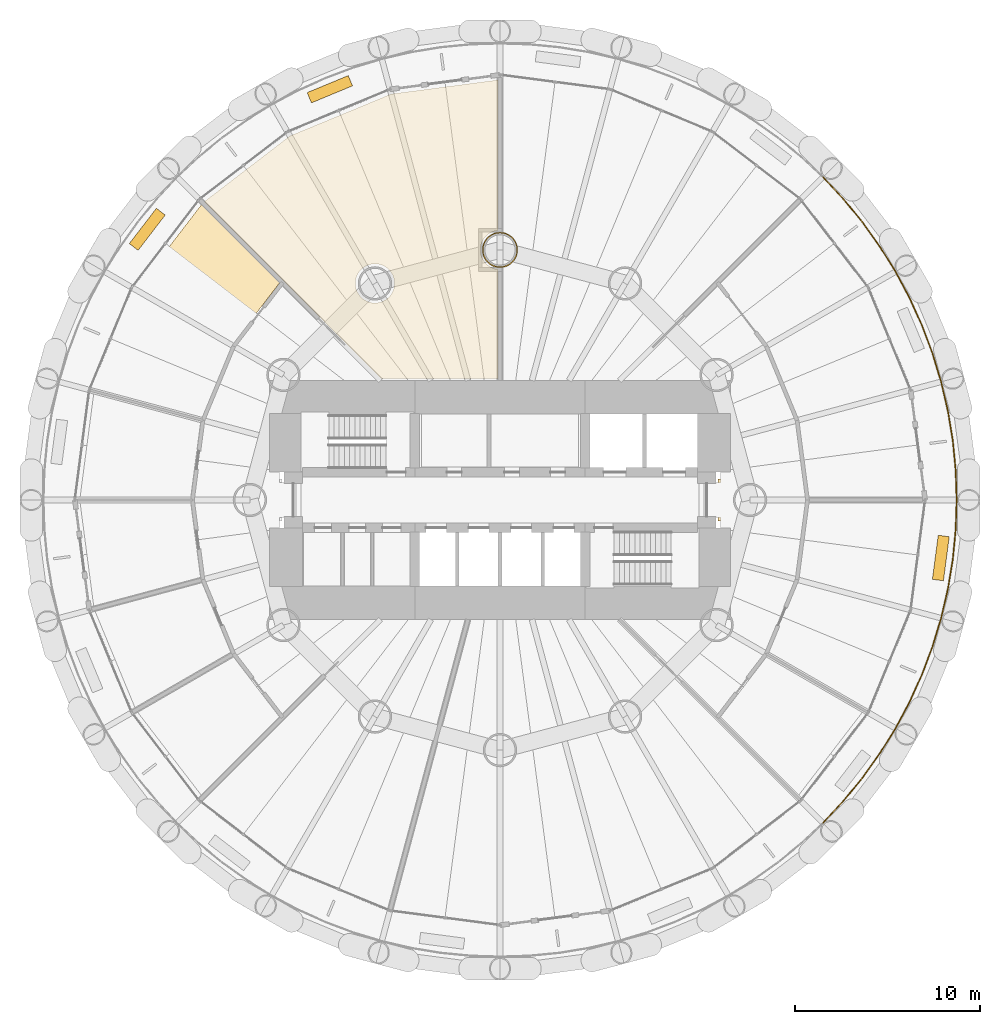
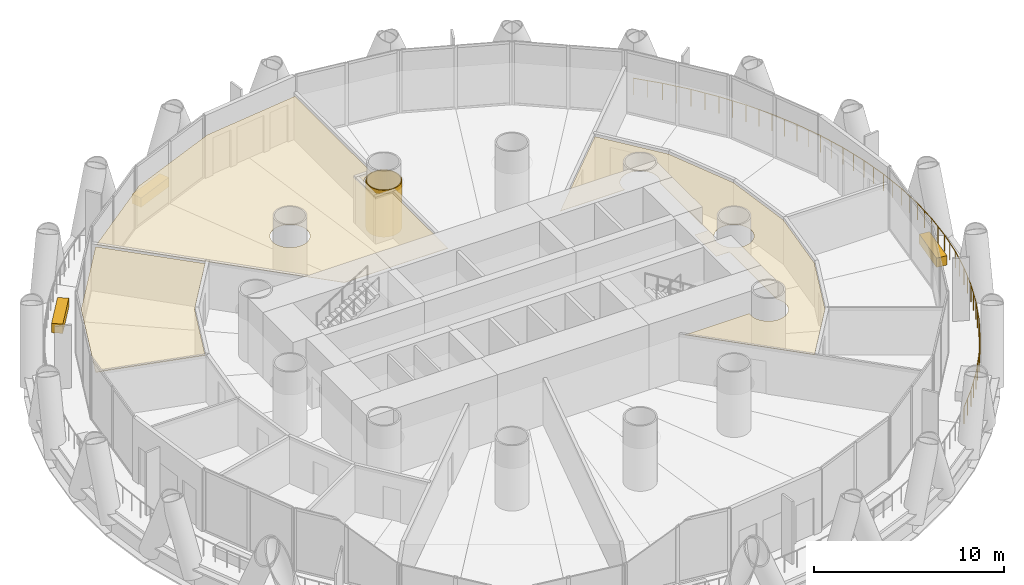
# One storey, part 15 of 16: 7 coverings, 1 railing.
"""IFC4 building model written with IfcOpenShell, lengths in metres."""

from ifc_helpers import new_model, si_unit, direction, frame, origin, origin_2d, place, context, subcontext, project, spatial, polyline, rectangle, circle, outline, extrude, material, layer, layer_set, type_object, element, save


model = new_model("IFC4")

# Units and contexts
model_context = context("Model", 3, precision=1e-05, world=origin(), true_north=direction((0.0, 1.0)))
body_context = subcontext(model_context, "Body", "Model", "MODEL_VIEW")
ifc_project = project(units=[si_unit("LENGTHUNIT", "METRE"), si_unit("AREAUNIT", "SQUARE_METRE"), si_unit("VOLUMEUNIT", "CUBIC_METRE"), si_unit("PLANEANGLEUNIT", "RADIAN"), si_unit("MASSUNIT", "GRAM", prefix="KILO")], contexts=[model_context])

# Site, building, storey
site_placement = place(None, origin())
site = spatial("IfcSite", under=ifc_project, at=site_placement, CompositionType="ELEMENT")
building_placement = place(site_placement, origin())
building = spatial("IfcBuilding", under=site, at=building_placement, Name="Qaws Media Tower", CompositionType="ELEMENT")
storey_placement = place(building_placement, frame((0.0, 0.0, 105.800048828125)))
storey = spatial("IfcBuildingStorey", under=building, at=storey_placement, Name="L23", CompositionType="ELEMENT", Elevation=105.800048828125)

# Railing
ifc_material_1 = material(Name="Stainless steel and glass guard", Category="steel")
railing_type = type_object("IfcRailingType", Name="Balcony guard 1100", PredefinedType="GUARDRAIL", material=ifc_material_1)
railing_placement = place(storey_placement, frame((77.43017578125, 32.56982421875, 0.0)))
element("IfcRailing", 1, at=railing_placement, inside=storey, type_object=railing_type, Name="GR1 balcony guard L23-4", PredefinedType="GUARDRAIL", context=body_context, shape_type="SweptSolid", body=[
    extrude(circle(Radius=0.02392578125, at=origin_2d()), frame((0.0, 0.0, 1.076171875), z_axis=(0.683649071953, 0.729810897711, 0.0), x_axis=(-0.729810897711, 0.683649071953, 0.0)), (0.0, 0.0, 1.0), 1.613037109375),
    extrude(circle(Radius=0.02392578125, at=origin_2d()), frame((1.102783203125, 1.17724609375, 1.076171875), z_axis=(0.634300376543, 0.773086691334, 0.0), x_axis=(-0.773086691334, 0.634300376543, 0.0)), (0.0, 0.0, 1.0), 1.613037109375),
    extrude(circle(Radius=0.02392578125, at=origin_2d()), frame((2.1259765625, 2.42431640625, 1.076171875), z_axis=(0.582468937632, 0.8128529613, 0.0), x_axis=(-0.8128529613, 0.582468937632, 0.0)), (0.0, 0.0, 1.0), 1.61279296875),
    extrude(circle(Radius=0.02392578125, at=origin_2d()), frame((3.0654296875, 3.7353515625, 1.076171875), z_axis=(0.52805213215, 0.849211955716, 0.0), x_axis=(-0.849211955716, 0.52805213215, 0.0)), (0.0, 0.0, 1.0), 1.613037109375),
    extrude(circle(Radius=0.02392578125, at=origin_2d()), frame((3.917236328125, 5.105224609375, 1.076171875), z_axis=(0.471444247201, 0.881895867878, 0.0), x_axis=(-0.881895867878, 0.471444247201, 0.0)), (0.0, 0.0, 1.0), 1.613037109375),
    extrude(circle(Radius=0.02392578125, at=origin_2d()), frame((4.677734375, 6.52783203125, 1.076171875), z_axis=(0.412742149387, 0.910847911629, 0.0), x_axis=(-0.910847911629, 0.412742149387, 0.0)), (0.0, 0.0, 1.0), 1.613037109375),
    extrude(circle(Radius=0.02392578125, at=origin_2d()), frame((5.343505859375, 7.9970703125, 1.076171875), z_axis=(0.352234612614, 0.93591173605, 0.0), x_axis=(-0.93591173605, 0.352234612614, 0.0)), (0.0, 0.0, 1.0), 1.61279296875),
    extrude(circle(Radius=0.02392578125, at=origin_2d()), frame((5.91162109375, 9.506591796875, 1.076171875), z_axis=(0.290276212091, 0.956942903571, 0.0), x_axis=(-0.956942903571, 0.290276212091, 0.0)), (0.0, 0.0, 1.0), 1.613037109375),
    extrude(circle(Radius=0.02392578125, at=origin_2d()), frame((6.3798828125, 11.05029296875, 1.076171875), z_axis=(0.22704778202, 0.973883619679, 0.0), x_axis=(-0.973883619679, 0.22704778202, 0.0)), (0.0, 0.0, 1.0), 1.613037109375),
    extrude(circle(Radius=0.02392578125, at=origin_2d()), frame((6.74609375, 12.62109375, 1.076171875), z_axis=(0.162999891935, 0.986626086838, 0.0), x_axis=(-0.986626086838, 0.162999891935, 0.0)), (0.0, 0.0, 1.0), 1.613037109375),
    extrude(circle(Radius=0.02392578125, at=origin_2d()), frame((7.009033203125, 14.212646484375, 1.076171875), z_axis=(0.09793004799, 0.995193300671, 0.0), x_axis=(-0.995193300671, 0.09793004799, 0.0)), (0.0, 0.0, 1.0), 1.613037109375),
    extrude(circle(Radius=0.02392578125, at=origin_2d()), frame((7.1669921875, 15.81787109375, 1.076171875), z_axis=(0.032689969211, 0.999465540133, 0.0), x_axis=(-0.999465540133, 0.032689969211, 0.0)), (0.0, 0.0, 1.0), 1.61328125),
    extrude(circle(Radius=0.02392578125, at=origin_2d()), frame((7.2197265625, 17.43017578125, 1.076171875), z_axis=(-0.032689969211, 0.999465540133, 0.0), x_axis=(-0.999465540133, -0.032689969211, 0.0)), (0.0, 0.0, 1.0), 1.61328125),
    extrude(circle(Radius=0.02392578125, at=origin_2d()), frame((7.1669921875, 19.04248046875, 1.076171875), z_axis=(-0.09793004799, 0.995193300671, 0.0), x_axis=(-0.995193300671, -0.09793004799, 0.0)), (0.0, 0.0, 1.0), 1.613037109375),
    extrude(circle(Radius=0.02392578125, at=origin_2d()), frame((7.009033203125, 20.647705078125, 1.076171875), z_axis=(-0.162999891935, 0.986626086838, 0.0), x_axis=(-0.986626086838, -0.162999891935, 0.0)), (0.0, 0.0, 1.0), 1.613037109375),
    extrude(circle(Radius=0.02392578125, at=origin_2d()), frame((6.74609375, 22.2392578125, 1.076171875), z_axis=(-0.22704778202, 0.973883619679, 0.0), x_axis=(-0.973883619679, -0.22704778202, 0.0)), (0.0, 0.0, 1.0), 1.613037109375),
    extrude(circle(Radius=0.02392578125, at=origin_2d()), frame((6.3798828125, 23.81005859375, 1.076171875), z_axis=(-0.290276212091, 0.956942903571, 0.0), x_axis=(-0.956942903571, -0.290276212091, 0.0)), (0.0, 0.0, 1.0), 1.613037109375),
    extrude(circle(Radius=0.02392578125, at=origin_2d()), frame((5.91162109375, 25.353759765625, 1.076171875), z_axis=(-0.352234612614, 0.93591173605, 0.0), x_axis=(-0.93591173605, -0.352234612614, 0.0)), (0.0, 0.0, 1.0), 1.61279296875),
    extrude(circle(Radius=0.02392578125, at=origin_2d()), frame((5.343505859375, 26.86328125, 1.076171875), z_axis=(-0.412742149387, 0.910847911629, 0.0), x_axis=(-0.910847911629, -0.412742149387, 0.0)), (0.0, 0.0, 1.0), 1.613037109375),
    extrude(circle(Radius=0.02392578125, at=origin_2d()), frame((4.677734375, 28.33251953125, 1.076171875), z_axis=(-0.471444247201, 0.881895867878, 0.0), x_axis=(-0.881895867878, -0.471444247201, 0.0)), (0.0, 0.0, 1.0), 1.613037109375),
    extrude(circle(Radius=0.02392578125, at=origin_2d()), frame((3.917236328125, 29.755126953125, 1.076171875), z_axis=(-0.52805213215, 0.849211955716, 0.0), x_axis=(-0.849211955716, -0.52805213215, 0.0)), (0.0, 0.0, 1.0), 1.613037109375),
    extrude(circle(Radius=0.02392578125, at=origin_2d()), frame((3.0654296875, 31.125, 1.076171875), z_axis=(-0.582468937632, 0.8128529613, 0.0), x_axis=(-0.8128529613, -0.582468937632, 0.0)), (0.0, 0.0, 1.0), 1.61279296875),
    extrude(circle(Radius=0.02392578125, at=origin_2d()), frame((2.1259765625, 32.43603515625, 1.076171875), z_axis=(-0.634300376543, 0.773086691334, 0.0), x_axis=(-0.773086691334, -0.634300376543, 0.0)), (0.0, 0.0, 1.0), 1.613037109375),
    extrude(circle(Radius=0.02392578125, at=origin_2d()), frame((1.102783203125, 33.68310546875, 1.076171875), z_axis=(-0.683649071953, 0.729810897711, 0.0), x_axis=(-0.729810897711, -0.683649071953, 0.0)), (0.0, 0.0, 1.0), 1.613037109375),
    extrude(circle(Radius=0.02099609375, at=origin_2d()), origin(), (0.0, 0.0, 1.0), 1.052001953125),
    extrude(circle(Radius=0.02099609375, at=origin_2d()), frame((0.55126953125, 0.588623046875, 0.0)), (0.0, 0.0, 1.0), 1.052001953125),
    extrude(circle(Radius=0.02099609375, at=origin_2d()), frame((1.102783203125, 1.17724609375, 0.0)), (0.0, 0.0, 1.0), 1.052001953125),
    extrude(circle(Radius=0.02099609375, at=origin_2d()), frame((1.6142578125, 1.80078125, 0.0)), (0.0, 0.0, 1.0), 1.052001953125),
    extrude(circle(Radius=0.02099609375, at=origin_2d()), frame((2.1259765625, 2.42431640625, 0.0)), (0.0, 0.0, 1.0), 1.052001953125),
    extrude(circle(Radius=0.02099609375, at=origin_2d()), frame((2.595703125, 3.079833984375, 0.0)), (0.0, 0.0, 1.0), 1.052001953125),
    extrude(circle(Radius=0.02099609375, at=origin_2d()), frame((3.0654296875, 3.7353515625, 0.0)), (0.0, 0.0, 1.0), 1.052001953125),
    extrude(circle(Radius=0.02099609375, at=origin_2d()), frame((3.4912109375, 4.42041015625, 0.0)), (0.0, 0.0, 1.0), 1.052001953125),
    extrude(circle(Radius=0.02099609375, at=origin_2d()), frame((3.917236328125, 5.105224609375, 0.0)), (0.0, 0.0, 1.0), 1.052001953125),
    extrude(circle(Radius=0.02099609375, at=origin_2d()), frame((4.29736328125, 5.81640625, 0.0)), (0.0, 0.0, 1.0), 1.052001953125),
    extrude(circle(Radius=0.02099609375, at=origin_2d()), frame((4.677734375, 6.52783203125, 0.0)), (0.0, 0.0, 1.0), 1.052001953125),
    extrude(circle(Radius=0.02099609375, at=origin_2d()), frame((5.0107421875, 7.262451171875, 0.0)), (0.0, 0.0, 1.0), 1.052001953125),
    extrude(circle(Radius=0.02099609375, at=origin_2d()), frame((5.343505859375, 7.9970703125, 0.0)), (0.0, 0.0, 1.0), 1.052001953125),
    extrude(circle(Radius=0.02099609375, at=origin_2d()), frame((5.62744140625, 8.751953125, 0.0)), (0.0, 0.0, 1.0), 1.052001953125),
    extrude(circle(Radius=0.02099609375, at=origin_2d()), frame((5.91162109375, 9.506591796875, 0.0)), (0.0, 0.0, 1.0), 1.052001953125),
    extrude(circle(Radius=0.02099609375, at=origin_2d()), frame((6.145751953125, 10.2783203125, 0.0)), (0.0, 0.0, 1.0), 1.052001953125),
    extrude(circle(Radius=0.02099609375, at=origin_2d()), frame((6.3798828125, 11.05029296875, 0.0)), (0.0, 0.0, 1.0), 1.052001953125),
    extrude(circle(Radius=0.02099609375, at=origin_2d()), frame((6.56298828125, 11.835693359375, 0.0)), (0.0, 0.0, 1.0), 1.052001953125),
    extrude(circle(Radius=0.02099609375, at=origin_2d()), frame((6.74609375, 12.62109375, 0.0)), (0.0, 0.0, 1.0), 1.052001953125),
    extrude(circle(Radius=0.02099609375, at=origin_2d()), frame((6.87744140625, 13.4169921875, 0.0)), (0.0, 0.0, 1.0), 1.052001953125),
    extrude(circle(Radius=0.02099609375, at=origin_2d()), frame((7.009033203125, 14.212646484375, 0.0)), (0.0, 0.0, 1.0), 1.052001953125),
    extrude(circle(Radius=0.02099609375, at=origin_2d()), frame((7.087890625, 15.01513671875, 0.0)), (0.0, 0.0, 1.0), 1.052001953125),
    extrude(circle(Radius=0.02099609375, at=origin_2d()), frame((7.1669921875, 15.81787109375, 0.0)), (0.0, 0.0, 1.0), 1.052001953125),
    extrude(circle(Radius=0.02099609375, at=origin_2d()), frame((7.193359375, 16.6240234375, 0.0)), (0.0, 0.0, 1.0), 1.052001953125),
    extrude(circle(Radius=0.02099609375, at=origin_2d()), frame((7.2197265625, 17.43017578125, 0.0)), (0.0, 0.0, 1.0), 1.052001953125),
    extrude(circle(Radius=0.02099609375, at=origin_2d()), frame((7.193359375, 18.236328125, 0.0)), (0.0, 0.0, 1.0), 1.052001953125),
    extrude(circle(Radius=0.02099609375, at=origin_2d()), frame((7.1669921875, 19.04248046875, 0.0)), (0.0, 0.0, 1.0), 1.052001953125),
    extrude(circle(Radius=0.02099609375, at=origin_2d()), frame((7.087890625, 19.84521484375, 0.0)), (0.0, 0.0, 1.0), 1.052001953125),
    extrude(circle(Radius=0.02099609375, at=origin_2d()), frame((7.009033203125, 20.647705078125, 0.0)), (0.0, 0.0, 1.0), 1.052001953125),
    extrude(circle(Radius=0.02099609375, at=origin_2d()), frame((6.87744140625, 21.443359375, 0.0)), (0.0, 0.0, 1.0), 1.052001953125),
    extrude(circle(Radius=0.02099609375, at=origin_2d()), frame((6.74609375, 22.2392578125, 0.0)), (0.0, 0.0, 1.0), 1.052001953125),
    extrude(circle(Radius=0.02099609375, at=origin_2d()), frame((6.56298828125, 23.024658203125, 0.0)), (0.0, 0.0, 1.0), 1.052001953125),
    extrude(circle(Radius=0.02099609375, at=origin_2d()), frame((6.3798828125, 23.81005859375, 0.0)), (0.0, 0.0, 1.0), 1.052001953125),
    extrude(circle(Radius=0.02099609375, at=origin_2d()), frame((6.145751953125, 24.58203125, 0.0)), (0.0, 0.0, 1.0), 1.052001953125),
    extrude(circle(Radius=0.02099609375, at=origin_2d()), frame((5.91162109375, 25.353759765625, 0.0)), (0.0, 0.0, 1.0), 1.052001953125),
    extrude(circle(Radius=0.02099609375, at=origin_2d()), frame((5.62744140625, 26.1083984375, 0.0)), (0.0, 0.0, 1.0), 1.052001953125),
    extrude(circle(Radius=0.02099609375, at=origin_2d()), frame((5.343505859375, 26.86328125, 0.0)), (0.0, 0.0, 1.0), 1.052001953125),
    extrude(circle(Radius=0.02099609375, at=origin_2d()), frame((5.0107421875, 27.597900390625, 0.0)), (0.0, 0.0, 1.0), 1.052001953125),
    extrude(circle(Radius=0.02099609375, at=origin_2d()), frame((4.677734375, 28.33251953125, 0.0)), (0.0, 0.0, 1.0), 1.052001953125),
    extrude(circle(Radius=0.02099609375, at=origin_2d()), frame((4.29736328125, 29.0439453125, 0.0)), (0.0, 0.0, 1.0), 1.052001953125),
    extrude(circle(Radius=0.02099609375, at=origin_2d()), frame((3.917236328125, 29.755126953125, 0.0)), (0.0, 0.0, 1.0), 1.052001953125),
    extrude(circle(Radius=0.02099609375, at=origin_2d()), frame((3.4912109375, 30.43994140625, 0.0)), (0.0, 0.0, 1.0), 1.052001953125),
    extrude(circle(Radius=0.02099609375, at=origin_2d()), frame((3.0654296875, 31.125, 0.0)), (0.0, 0.0, 1.0), 1.052001953125),
    extrude(circle(Radius=0.02099609375, at=origin_2d()), frame((2.595703125, 31.780517578125, 0.0)), (0.0, 0.0, 1.0), 1.052001953125),
    extrude(circle(Radius=0.02099609375, at=origin_2d()), frame((2.1259765625, 32.43603515625, 0.0)), (0.0, 0.0, 1.0), 1.052001953125),
    extrude(circle(Radius=0.02099609375, at=origin_2d()), frame((1.6142578125, 33.0595703125, 0.0)), (0.0, 0.0, 1.0), 1.052001953125),
    extrude(circle(Radius=0.02099609375, at=origin_2d()), frame((1.102783203125, 33.68310546875, 0.0)), (0.0, 0.0, 1.0), 1.052001953125),
    extrude(circle(Radius=0.02099609375, at=origin_2d()), frame((0.55126953125, 34.271728515625, 0.0)), (0.0, 0.0, 1.0), 1.052001953125),
    extrude(circle(Radius=0.02099609375, at=origin_2d()), frame((0.0, 34.8603515625, 0.0)), (0.0, 0.0, 1.0), 1.052001953125),
])

# Coverings
ifc_material_2 = material(Name="Two layers 15 fire-rated gypsum board on steel framing", Category="steel")
ifc_layer_1 = layer(ifc_material_2, 0.050048828125)
ifc_layer_set_1 = layer_set([ifc_layer_1], Name="Column fire casing")
covering_type_1 = type_object("IfcCoveringType", Name="Column fire casing", PredefinedType="CLADDING", material=ifc_layer_set_1)
covering_1_placement = place(storey_placement, origin())
element("IfcCovering", 2, at=covering_1_placement, inside=storey, type_object=covering_type_1, Name="CC1 column casing L23", PredefinedType="CLADDING", context=body_context, shape_type="SweptSolid", body=[
    extrude(outline(polyline([(60.955078125, 63.5), (60.94677734375, 63.375244140625), (60.922607421875, 63.252685546875), (60.88232421875, 63.134521484375), (60.8271484375, 63.0224609375), (60.7578125, 62.918701171875), (60.67529296875, 62.82470703125), (60.581298828125, 62.7421875), (60.4775390625, 62.6728515625), (60.365478515625, 62.61767578125), (60.247314453125, 62.577392578125), (60.124755859375, 62.55322265625), (60.0, 62.544921875), (59.875244140625, 62.55322265625), (59.752685546875, 62.577392578125), (59.634521484375, 62.61767578125), (59.5224609375, 62.6728515625), (59.418701171875, 62.7421875), (59.32470703125, 62.82470703125), (59.2421875, 62.918701171875), (59.1728515625, 63.0224609375), (59.11767578125, 63.134521484375), (59.077392578125, 63.252685546875), (59.05322265625, 63.375244140625), (59.044921875, 63.5), (59.05322265625, 63.624755859375), (59.077392578125, 63.747314453125), (59.11767578125, 63.865478515625), (59.1728515625, 63.9775390625), (59.2421875, 64.081298828125), (59.32470703125, 64.17529296875), (59.418701171875, 64.2578125), (59.5224609375, 64.3271484375), (59.634521484375, 64.38232421875), (59.752685546875, 64.422607421875), (59.875244140625, 64.44677734375), (60.0, 64.455078125), (60.124755859375, 64.44677734375), (60.247314453125, 64.422607421875), (60.365478515625, 64.38232421875), (60.4775390625, 64.3271484375), (60.581298828125, 64.2578125), (60.67529296875, 64.17529296875), (60.7578125, 64.081298828125), (60.8271484375, 63.9775390625), (60.88232421875, 63.865478515625), (60.922607421875, 63.747314453125), (60.94677734375, 63.624755859375), (60.955078125, 63.5)]), holes=[polyline([(60.903076171875, 63.5), (60.895263671875, 63.382080078125), (60.872314453125, 63.266357421875), (60.834228515625, 63.154296875), (60.781982421875, 63.048583984375), (60.71630859375, 62.9501953125), (60.638427734375, 62.861572265625), (60.5498046875, 62.78369140625), (60.451416015625, 62.718017578125), (60.345703125, 62.665771484375), (60.233642578125, 62.627685546875), (60.117919921875, 62.604736328125), (60.0, 62.596923828125), (59.882080078125, 62.604736328125), (59.766357421875, 62.627685546875), (59.654296875, 62.665771484375), (59.548583984375, 62.718017578125), (59.4501953125, 62.78369140625), (59.361572265625, 62.861572265625), (59.28369140625, 62.9501953125), (59.218017578125, 63.048583984375), (59.165771484375, 63.154296875), (59.127685546875, 63.266357421875), (59.104736328125, 63.382080078125), (59.096923828125, 63.5), (59.104736328125, 63.617919921875), (59.127685546875, 63.733642578125), (59.165771484375, 63.845703125), (59.218017578125, 63.951416015625), (59.28369140625, 64.0498046875), (59.361572265625, 64.138427734375), (59.4501953125, 64.21630859375), (59.548583984375, 64.281982421875), (59.654296875, 64.334228515625), (59.766357421875, 64.372314453125), (59.882080078125, 64.395263671875), (60.0, 64.403076171875), (60.117919921875, 64.395263671875), (60.233642578125, 64.372314453125), (60.345703125, 64.334228515625), (60.451416015625, 64.281982421875), (60.5498046875, 64.21630859375), (60.638427734375, 64.138427734375), (60.71630859375, 64.0498046875), (60.781982421875, 63.951416015625), (60.834228515625, 63.845703125), (60.872314453125, 63.733642578125), (60.895263671875, 63.617919921875), (60.903076171875, 63.5)])]), origin(), (0.0, 0.0, 1.0), 3.02001953125),
])
ifc_material_3 = material(Name="600 x 600 mineral fibre tiles in exposed grid, suspended", Category="mineral fibre")
ifc_layer_2 = layer(ifc_material_3, 0.02001953125)
ifc_layer_set_2 = layer_set([ifc_layer_2], Name="Mineral fibre tile ceiling 20")
covering_type_2 = type_object("IfcCoveringType", Name="Mineral fibre tile ceiling 20", PredefinedType="CEILING", material=ifc_layer_set_2)
covering_2_placement = place(storey_placement, frame((0.0, 0.0, 2.849853515625)))
element("IfcCovering", 3, at=covering_2_placement, inside=storey, type_object=covering_type_2, Name="CL1 ceiling L23-01 Corridor", PredefinedType="CEILING", context=body_context, shape_type="SweptSolid", body=[
    extrude(outline(polyline([(74.27783203125, 58.243408203125), (75.9248046875, 54.26708984375), (76.486572265625, 50.0), (75.9248046875, 45.73291015625), (74.27783203125, 41.756591796875), (71.726806640625, 38.432373046875), (66.7216796875, 43.4375), (70.650146484375, 43.4375), (70.640380859375, 43.388427734375), (70.63134765625, 43.25), (70.640380859375, 43.111572265625), (70.66748046875, 42.9755859375), (70.7119140625, 42.844482421875), (70.7734375, 42.719970703125), (70.850341796875, 42.604736328125), (70.94189453125, 42.50048828125), (71.046142578125, 42.408935546875), (71.161376953125, 42.33203125), (71.28564453125, 42.270751953125), (71.4169921875, 42.22607421875), (71.552978515625, 42.19921875), (71.69140625, 42.18994140625), (71.82958984375, 42.19921875), (71.9658203125, 42.22607421875), (72.096923828125, 42.270751953125), (72.22119140625, 42.33203125), (72.336669921875, 42.408935546875), (72.44091796875, 42.50048828125), (72.5322265625, 42.604736328125), (72.609375, 42.719970703125), (72.670654296875, 42.844482421875), (72.715087890625, 42.9755859375), (72.7421875, 43.111572265625), (72.751220703125, 43.25), (72.7421875, 43.388427734375), (72.715087890625, 43.5244140625), (72.670654296875, 43.655517578125), (72.609375, 43.780029296875), (72.5625, 43.85009765625), (72.5625, 48.862548828125), (71.762451171875, 48.862548828125), (71.762451171875, 51.137451171875), (72.5625, 51.137451171875), (72.5625, 56.14990234375), (72.609375, 56.219970703125), (72.670654296875, 56.344482421875), (72.715087890625, 56.4755859375), (72.7421875, 56.611572265625), (72.751220703125, 56.75), (72.7421875, 56.888427734375), (72.715087890625, 57.0244140625), (72.670654296875, 57.155517578125), (72.609375, 57.280029296875), (72.5322265625, 57.395263671875), (72.44091796875, 57.49951171875), (72.336669921875, 57.591064453125), (72.22119140625, 57.66796875), (72.096923828125, 57.729248046875), (71.9658203125, 57.77392578125), (71.82958984375, 57.80078125), (71.69140625, 57.81005859375), (71.552978515625, 57.80078125), (71.4169921875, 57.77392578125), (71.28564453125, 57.729248046875), (71.161376953125, 57.66796875), (71.046142578125, 57.591064453125), (70.94189453125, 57.49951171875), (70.850341796875, 57.395263671875), (70.7734375, 57.280029296875), (70.7119140625, 57.155517578125), (70.66748046875, 57.0244140625), (70.640380859375, 56.888427734375), (70.63134765625, 56.75), (70.640380859375, 56.611572265625), (70.650146484375, 56.5625), (66.7216796875, 56.5625), (71.726806640625, 61.567626953125), (74.27783203125, 58.243408203125)]), holes=[polyline([(74.52392578125, 49.7255859375), (74.55078125, 49.861572265625), (74.56005859375, 50.0), (74.55078125, 50.138427734375), (74.52392578125, 50.2744140625), (74.479248046875, 50.405517578125), (74.41796875, 50.530029296875), (74.341064453125, 50.645263671875), (74.24951171875, 50.74951171875), (74.145263671875, 50.841064453125), (74.030029296875, 50.91796875), (73.905517578125, 50.979248046875), (73.7744140625, 51.02392578125), (73.638427734375, 51.05078125), (73.5, 51.06005859375), (73.361572265625, 51.05078125), (73.2255859375, 51.02392578125), (73.094482421875, 50.979248046875), (72.969970703125, 50.91796875), (72.854736328125, 50.841064453125), (72.75048828125, 50.74951171875), (72.658935546875, 50.645263671875), (72.58203125, 50.530029296875), (72.520751953125, 50.405517578125), (72.47607421875, 50.2744140625), (72.44921875, 50.138427734375), (72.43994140625, 50.0), (72.44921875, 49.861572265625), (72.47607421875, 49.7255859375), (72.520751953125, 49.594482421875), (72.58203125, 49.469970703125), (72.658935546875, 49.354736328125), (72.75048828125, 49.25048828125), (72.854736328125, 49.158935546875), (72.969970703125, 49.08203125), (73.094482421875, 49.020751953125), (73.2255859375, 48.97607421875), (73.361572265625, 48.94921875), (73.5, 48.93994140625), (73.638427734375, 48.94921875), (73.7744140625, 48.97607421875), (73.905517578125, 49.020751953125), (74.030029296875, 49.08203125), (74.145263671875, 49.158935546875), (74.24951171875, 49.25048828125), (74.341064453125, 49.354736328125), (74.41796875, 49.469970703125), (74.479248046875, 49.594482421875), (74.52392578125, 49.7255859375)])]), origin(), (0.0, 0.0, 1.0), 0.02001953125),
])
ifc_material_4 = material(Name="Precast concrete planter with trailing planting", Category="concrete")
ifc_layer_3 = layer(ifc_material_4, 0.60009765625)
ifc_layer_set_3 = layer_set([ifc_layer_3], Name="Planter 2400x600")
covering_type_3 = type_object("IfcCoveringType", Name="Planter 2400x600", PredefinedType="USERDEFINED", material=ifc_layer_set_3)
for number, where, z_axis, x_axis, name in (
    (4, (50.815673828125, 72.173095703125, 0.0), (0.0, 0.0, 1.0), (-0.923879532511, -0.382683432365, 0.0), "PL1 balcony planter L23-04"),
    (5, (40.95947265625, 64.6103515625, 0.0), (0.0, 0.0, 1.0), (-0.608761429009, -0.793353340291, 0.0), "PL1 balcony planter L23-05"),
    (6, (83.794677734375, 46.867431640625, 0.0), (0.0, 0.0, 1.0), (0.13052619222, 0.991444861374, 0.0), "PL1 balcony planter L23-12"),
):
    element("IfcCovering", number, at=place(storey_placement, frame(where, z_axis=z_axis, x_axis=x_axis)), inside=storey, type_object=covering_type_3, Name=name, ObjectType="PLANTER", PredefinedType="USERDEFINED", context=body_context, shape_type="SweptSolid", body=[
        extrude(rectangle(XDim=2.39990234375, YDim=0.60009765625, at=origin_2d()), origin(), (0.0, 0.0, 1.0), 0.60009765625),
    ])
ifc_material_5 = material(Name="Two layers 12.5 moisture-resistant plasterboard on suspended metal furring", Category="gypsum")
ifc_layer_4 = layer(ifc_material_5, 0.02490234375)
ifc_layer_set_4 = layer_set([ifc_layer_4], Name="Plasterboard ceiling 25")
covering_type_4 = type_object("IfcCoveringType", Name="Plasterboard ceiling 25", PredefinedType="CEILING", material=ifc_layer_set_4)
covering_3_placement = place(storey_placement, frame((0.0, 0.0, 2.849853515625)))
element("IfcCovering", 7, at=covering_3_placement, inside=storey, type_object=covering_type_4, Name="CL2 ceiling L23-04 Staff library", PredefinedType="CEILING", context=body_context, shape_type="SweptSolid", body=[
    extrude(outline(polyline([(48.657470703125, 69.64599609375), (54.128662109375, 71.912353515625), (59.887451171875, 72.67041015625), (59.887451171875, 64.552490234375), (59.861572265625, 64.55078125), (59.7255859375, 64.52392578125), (59.594482421875, 64.479248046875), (59.469970703125, 64.41796875), (59.354736328125, 64.341064453125), (59.25048828125, 64.24951171875), (59.158935546875, 64.145263671875), (59.08203125, 64.030029296875), (59.020751953125, 63.905517578125), (58.97607421875, 63.7744140625), (58.94921875, 63.638427734375), (58.93994140625, 63.5), (58.94921875, 63.361572265625), (58.97607421875, 63.2255859375), (59.020751953125, 63.094482421875), (59.08203125, 62.969970703125), (59.158935546875, 62.854736328125), (59.25048828125, 62.75048828125), (59.354736328125, 62.658935546875), (59.469970703125, 62.58203125), (59.594482421875, 62.520751953125), (59.7255859375, 62.47607421875), (59.861572265625, 62.44921875), (59.887451171875, 62.447509765625), (59.887451171875, 56.5625), (53.5966796875, 56.5625), (44.049072265625, 66.110107421875), (48.657470703125, 69.64599609375)]), holes=[polyline([(54.229248046875, 61.28564453125), (54.27392578125, 61.4169921875), (54.30078125, 61.552978515625), (54.31005859375, 61.69140625), (54.30078125, 61.82958984375), (54.27392578125, 61.9658203125), (54.229248046875, 62.096923828125), (54.16796875, 62.22119140625), (54.091064453125, 62.336669921875), (53.99951171875, 62.44091796875), (53.895263671875, 62.5322265625), (53.780029296875, 62.609375), (53.655517578125, 62.670654296875), (53.5244140625, 62.715087890625), (53.388427734375, 62.7421875), (53.25, 62.751220703125), (53.111572265625, 62.7421875), (52.9755859375, 62.715087890625), (52.844482421875, 62.670654296875), (52.719970703125, 62.609375), (52.604736328125, 62.5322265625), (52.50048828125, 62.44091796875), (52.408935546875, 62.336669921875), (52.33203125, 62.22119140625), (52.270751953125, 62.096923828125), (52.22607421875, 61.9658203125), (52.19921875, 61.82958984375), (52.18994140625, 61.69140625), (52.19921875, 61.552978515625), (52.22607421875, 61.4169921875), (52.270751953125, 61.28564453125), (52.33203125, 61.161376953125), (52.408935546875, 61.046142578125), (52.50048828125, 60.94189453125), (52.604736328125, 60.850341796875), (52.719970703125, 60.7734375), (52.844482421875, 60.7119140625), (52.9755859375, 60.66748046875), (53.111572265625, 60.640380859375), (53.25, 60.63134765625), (53.388427734375, 60.640380859375), (53.5244140625, 60.66748046875), (53.655517578125, 60.7119140625), (53.780029296875, 60.7734375), (53.895263671875, 60.850341796875), (53.99951171875, 60.94189453125), (54.091064453125, 61.046142578125), (54.16796875, 61.161376953125), (54.229248046875, 61.28564453125)])]), origin(), (0.0, 0.0, 1.0), 0.025146484375),
])
covering_4_placement = place(storey_placement, frame((0.0, 0.0, 2.849853515625)))
element("IfcCovering", 8, at=covering_4_placement, inside=storey, type_object=covering_type_4, Name="CL2 ceiling L23-05 Servery", PredefinedType="CEILING", context=body_context, shape_type="SweptSolid", body=[
    extrude(outline(polyline([(40.35400390625, 61.342529296875), (43.889892578125, 65.950927734375), (48.11279296875, 61.728271484375), (45.525634765625, 58.356689453125), (43.8994140625, 54.4306640625), (38.131103515625, 55.976318359375), (40.35400390625, 61.342529296875)])), origin(), (0.0, 0.0, 1.0), 0.025146484375),
])

save(model, "model.ifc")
